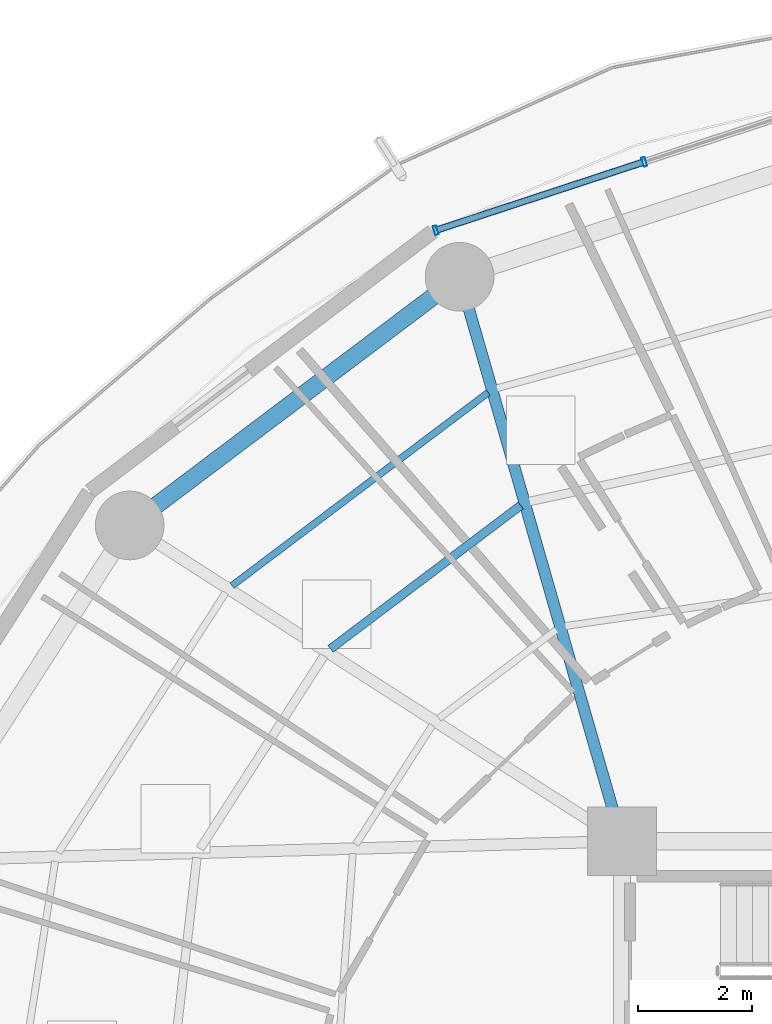
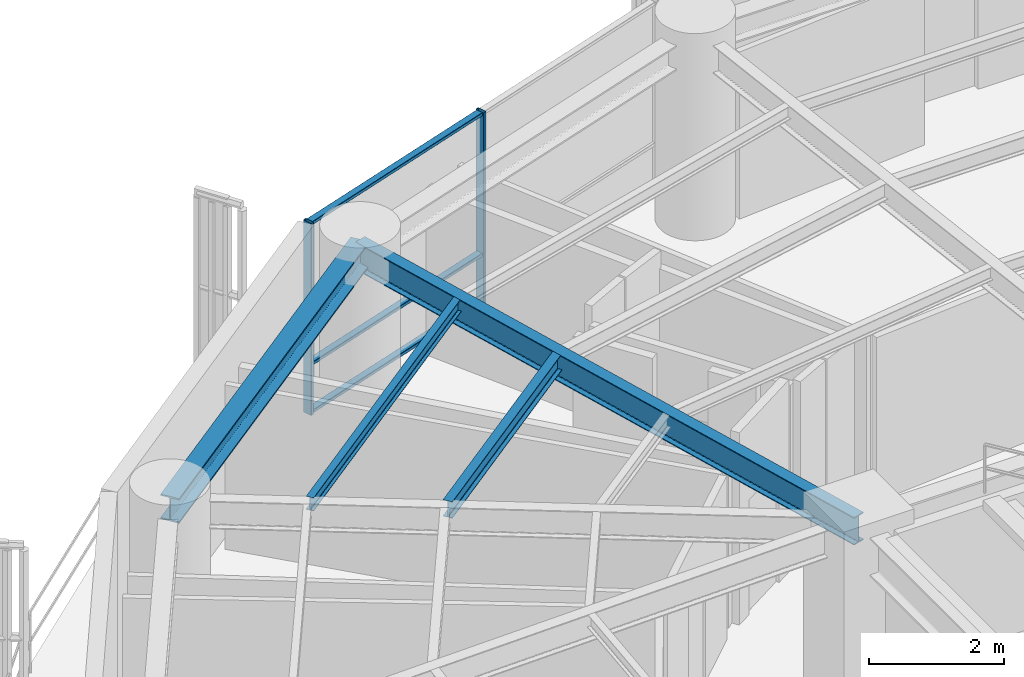
# One storey, part 16 of 28: 5 members, 4 beams, 1 element without a shape of its own.
"""IFC4 building model written with IfcOpenShell, lengths in metres."""

from ifc_helpers import new_model, si_unit, direction, frame, origin, origin_2d, place, context, subcontext, project, spatial, hollow_rectangle, i_section, extrude, material, layer, layer_set, material_profile, profile_set, type_object, element, aggregate, save


model = new_model("IFC4")

# Units and contexts
model_context = context("Model", 3, precision=1e-05, world=origin(), true_north=direction((0.0, 1.0)))
body_context = subcontext(model_context, "Body", "Model", "MODEL_VIEW")
ifc_project = project(units=[si_unit("LENGTHUNIT", "METRE"), si_unit("AREAUNIT", "SQUARE_METRE"), si_unit("VOLUMEUNIT", "CUBIC_METRE"), si_unit("PLANEANGLEUNIT", "RADIAN"), si_unit("MASSUNIT", "GRAM", prefix="KILO")], contexts=[model_context])

# Site, building, storey
site_placement = place(None, origin())
site = spatial("IfcSite", under=ifc_project, at=site_placement, CompositionType="ELEMENT")
building_placement = place(site_placement, origin())
building = spatial("IfcBuilding", under=site, at=building_placement, Name="Kelanora Arch Commons", CompositionType="ELEMENT")
storey_placement = place(building_placement, frame((0.0, 0.0, 180.60009765625)))
storey = spatial("IfcBuildingStorey", under=building, at=storey_placement, Name="L46", CompositionType="ELEMENT", Elevation=180.60009765625)

# Beams
ifc_material_1 = material(Name="Steel S355", Category="steel")
ifc_material_profile_1 = material_profile(ifc_material_1, i_section(OverallWidth=0.14990234375, OverallDepth=0.300048828125, WebThickness=0.007080078125, FlangeThickness=0.0107421875, FilletRadius=0.014892578125, at=origin_2d()), Name="IPE300")
ifc_profile_set_1 = profile_set([ifc_material_profile_1], Name="Steel S355")
beam_type_1 = type_object("IfcBeamType", Name="BM-JST-01", PredefinedType="JOIST", material=ifc_profile_set_1)
beam_1_placement = place(storey_placement, frame((64.22802734375, 70.870849609375, 3.33984375), z_axis=(-0.798463547891, -0.602043156833, 0.0), x_axis=(0.602043156833, -0.798463547891, 0.0)))
element("IfcBeam", 1, at=beam_1_placement, inside=storey, type_object=beam_type_1, Name="Secondary Chord Joist BJB-12 L46", PredefinedType="JOIST", context=body_context, shape_type="SweptSolid", body=[
    extrude(i_section(OverallWidth=0.14990234375, OverallDepth=0.300048828125, WebThickness=0.007080078125, FlangeThickness=0.0107421875, FilletRadius=0.014892578125, at=origin_2d()), origin(), (0.0, 0.0, 1.0), 4.163818359375),
])
ifc_material_profile_2 = material_profile(ifc_material_1, i_section(OverallWidth=0.1201171875, OverallDepth=0.239990234375, WebThickness=0.006103515625, FlangeThickness=0.009765625, FilletRadius=0.014892578125, at=origin_2d()), Name="IPE240")
ifc_profile_set_2 = profile_set([ifc_material_profile_2], Name="Steel S355")
beam_type_2 = type_object("IfcBeamType", Name="BM-JST-02", PredefinedType="JOIST", material=ifc_profile_set_2)
beam_2_placement = place(storey_placement, frame((63.66015625, 72.844970703125, 3.369873046875), z_axis=(-0.798493128577, -0.602003923256, 0.0), x_axis=(0.602003923256, -0.798493128577, 0.0)))
element("IfcBeam", 2, at=beam_2_placement, inside=storey, type_object=beam_type_2, Name="Secondary Chord Joist BJC-12 L46", PredefinedType="JOIST", context=body_context, shape_type="SweptSolid", body=[
    extrude(i_section(OverallWidth=0.1201171875, OverallDepth=0.239990234375, WebThickness=0.006103515625, FlangeThickness=0.009765625, FilletRadius=0.014892578125, at=origin_2d()), origin(), (0.0, 0.0, 1.0), 5.608642578125),
])
ifc_material_profile_3 = material_profile(ifc_material_1, i_section(OverallWidth=0.199951171875, OverallDepth=0.5, WebThickness=0.01025390625, FlangeThickness=0.01611328125, FilletRadius=0.02099609375, at=origin_2d()), Name="IPE500")
ifc_profile_set_3 = profile_set([ifc_material_profile_3], Name="Steel S355")
beam_type_3 = type_object("IfcBeamType", Name="BM-RAD-Z3", PredefinedType="BEAM", material=ifc_profile_set_3)
beam_3_placement = place(storey_placement, frame((66.0, 65.0, 3.239990234375), z_axis=(-0.276525880065, 0.961006471182, 0.0), x_axis=(-0.961006471182, -0.276525880065, 0.0)))
element("IfcBeam", 3, at=beam_3_placement, inside=storey, type_object=beam_type_3, Name="Radial Floor Girder BR-12 L46", PredefinedType="BEAM", context=body_context, shape_type="SweptSolid", body=[
    extrude(i_section(OverallWidth=0.199951171875, OverallDepth=0.5, WebThickness=0.01025390625, FlangeThickness=0.01611328125, FilletRadius=0.02099609375, at=origin_2d()), origin(), (0.0, 0.0, 1.0), 10.2705078125),
])
ifc_material_profile_4 = material_profile(ifc_material_1, i_section(OverallWidth=0.300048828125, OverallDepth=0.449951171875, WebThickness=0.013916015625, FlangeThickness=0.02587890625, FilletRadius=0.027099609375, at=origin_2d()), Name="HEB450")
ifc_profile_set_4 = profile_set([ifc_material_profile_4], Name="Steel S355")
beam_type_4 = type_object("IfcBeamType", Name="BM-SPN-Z3", PredefinedType="SPANDREL", material=ifc_profile_set_4)
beam_4_placement = place(storey_placement, frame((63.159912109375, 74.8701171875, 3.264892578125), z_axis=(-0.798484645564, -0.60201517489, 0.0), x_axis=(0.60201517489, -0.798484645564, 0.0)))
element("IfcBeam", 4, at=beam_4_placement, inside=storey, type_object=beam_type_4, Name="Perimeter Spandrel Beam BS-12 L46", PredefinedType="SPANDREL", context=body_context, shape_type="SweptSolid", body=[
    extrude(i_section(OverallWidth=0.300048828125, OverallDepth=0.449951171875, WebThickness=0.013916015625, FlangeThickness=0.02587890625, FilletRadius=0.027099609375, at=origin_2d()), origin(), (0.0, 0.0, 1.0), 7.223388671875),
])

# Curtain wall, members
ifc_material_2 = material(Name="Terracotta ceramic-fritted low-E glass and aluminium", Category="masonry")
ifc_layer = layer(ifc_material_2, 0.175048828125)
ifc_layer_set = layer_set([ifc_layer], Name="Terracotta ceramic-fritted low-E glass and aluminium")
curtain_wall_type = type_object("IfcCurtainWallType", Name="CW-SYS-02", PredefinedType="NOTDEFINED", material=ifc_layer_set)
curtain_wall_placement = place(storey_placement, origin())
curtain_wall = element("IfcCurtainWall", 5, at=curtain_wall_placement, inside=storey, type_object=curtain_wall_type, Name="Unitised Curtain Wall L46-B05", PredefinedType="NOTDEFINED")
ifc_material_3 = material(Name="Powder-coated aluminium terracotta", Category="masonry")
ifc_material_profile_5 = material_profile(ifc_material_3, hollow_rectangle(XDim=0.159912109375, YDim=0.06005859375, WallThickness=0.0048828125, InnerFilletRadius=0.0048828125, OuterFilletRadius=0.010009765625, at=origin_2d()), Name="CWM160x60")
ifc_profile_set_5 = profile_set([ifc_material_profile_5], Name="Powder-coated aluminium terracotta")
member_type_1 = type_object("IfcMemberType", Name="CWM-STD", PredefinedType="MULLION", material=ifc_profile_set_5)
member_1_placement = place(storey_placement, frame((66.3876953125, 76.87841796875, 0.0), z_axis=(0.0, 0.0, 1.0), x_axis=(0.312128279571, -0.95003996605, 0.0)))
member_1 = element("IfcMember", 6, at=member_1_placement, type_object=member_type_1, Name="CW-02 mullion 2", PredefinedType="MULLION", context=body_context, shape_type="SweptSolid", body=[
    extrude(hollow_rectangle(XDim=0.159912109375, YDim=0.06005859375, WallThickness=0.0048828125, InnerFilletRadius=0.0048828125, OuterFilletRadius=0.010009765625, at=origin_2d()), origin(), (0.0, 0.0, 1.0), 3.474853515625),
])
member_2_placement = place(storey_placement, frame((62.742919921875, 75.680908203125, 0.0), z_axis=(0.0, 0.0, 1.0), x_axis=(0.312128279571, -0.95003996605, 0.0)))
member_2 = element("IfcMember", 7, at=member_2_placement, type_object=member_type_1, Name="CW-02 mullion 3", PredefinedType="MULLION", context=body_context, shape_type="SweptSolid", body=[
    extrude(hollow_rectangle(XDim=0.159912109375, YDim=0.06005859375, WallThickness=0.0048828125, InnerFilletRadius=0.0048828125, OuterFilletRadius=0.010009765625, at=origin_2d()), origin(), (0.0, 0.0, 1.0), 3.474853515625),
])
ifc_material_profile_6 = material_profile(ifc_material_3, hollow_rectangle(XDim=0.1201171875, YDim=0.06005859375, WallThickness=0.0048828125, InnerFilletRadius=0.0048828125, OuterFilletRadius=0.010009765625, at=origin_2d()), Name="CWT120x60")
ifc_profile_set_6 = profile_set([ifc_material_profile_6], Name="Powder-coated aluminium terracotta")
member_type_2 = type_object("IfcMemberType", Name="CWT-STD", PredefinedType="USERDEFINED", material=ifc_profile_set_6)
member_3_placement = place(storey_placement, frame((66.359375, 76.869140625, 0.02978515625), z_axis=(-0.950051191155, -0.312094111104, 0.0), x_axis=(0.312094111104, -0.950051191155, 0.0)))
member_3 = element("IfcMember", 8, at=member_3_placement, type_object=member_type_2, Name="CW-02 transom 2.1", ObjectType="TRANSOM", PredefinedType="USERDEFINED", context=body_context, shape_type="SweptSolid", body=[
    extrude(hollow_rectangle(XDim=0.1201171875, YDim=0.06005859375, WallThickness=0.0048828125, InnerFilletRadius=0.0048828125, OuterFilletRadius=0.010009765625, at=origin_2d()), origin(), (0.0, 0.0, 1.0), 3.77685546875),
])
member_4_placement = place(storey_placement, frame((66.359375, 76.869140625, 0.89990234375), z_axis=(-0.950051191155, -0.312094111104, 0.0), x_axis=(0.312094111104, -0.950051191155, 0.0)))
member_4 = element("IfcMember", 9, at=member_4_placement, type_object=member_type_2, Name="CW-02 transom 2.2", ObjectType="TRANSOM", PredefinedType="USERDEFINED", context=body_context, shape_type="SweptSolid", body=[
    extrude(hollow_rectangle(XDim=0.1201171875, YDim=0.06005859375, WallThickness=0.0048828125, InnerFilletRadius=0.0048828125, OuterFilletRadius=0.010009765625, at=origin_2d()), origin(), (0.0, 0.0, 1.0), 3.77685546875),
])
member_5_placement = place(storey_placement, frame((66.359375, 76.869140625, 3.44482421875), z_axis=(-0.950051191155, -0.312094111104, 0.0), x_axis=(0.312094111104, -0.950051191155, 0.0)))
member_5 = element("IfcMember", 10, at=member_5_placement, type_object=member_type_2, Name="CW-02 transom 2.3", ObjectType="TRANSOM", PredefinedType="USERDEFINED", context=body_context, shape_type="SweptSolid", body=[
    extrude(hollow_rectangle(XDim=0.1201171875, YDim=0.06005859375, WallThickness=0.0048828125, InnerFilletRadius=0.0048828125, OuterFilletRadius=0.010009765625, at=origin_2d()), origin(), (0.0, 0.0, 1.0), 3.77685546875),
])
aggregate(curtain_wall, [member_1, member_2, member_3, member_4, member_5])

save(model, "model.ifc")
